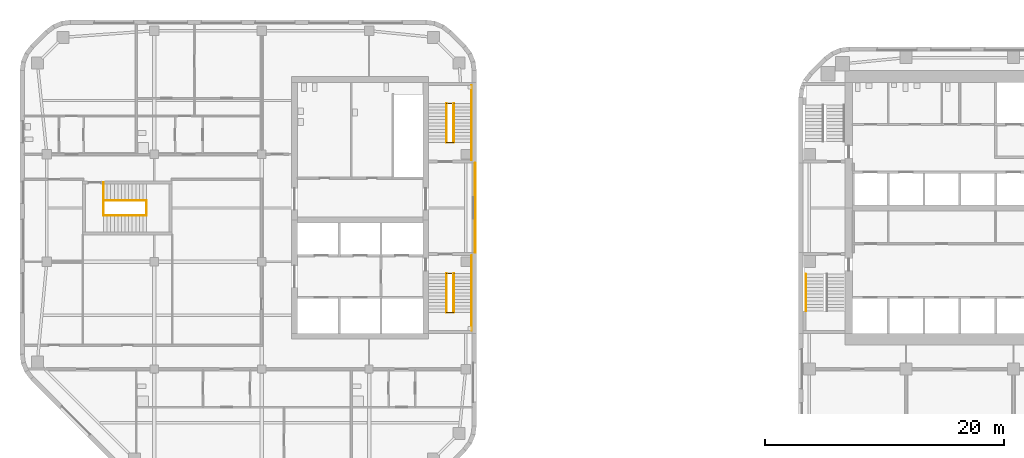
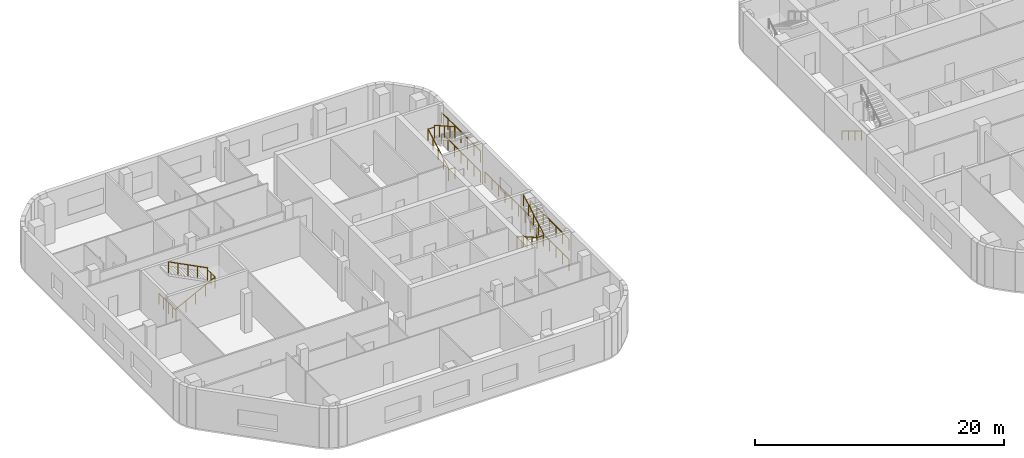
# One storey, part 14 of 16: 19 railings, 1 element without a shape of its own.
"""IFC4 building model written with IfcOpenShell, lengths in metres."""

from ifc_helpers import new_model, si_unit, direction, frame, origin, origin_2d, place, context, subcontext, project, spatial, circle, extrude, material, type_object, element, aggregate, save


model = new_model("IFC4")

# Units and contexts
model_context = context("Model", 3, precision=1e-05, world=origin(), true_north=direction((0.0, 1.0)))
body_context = subcontext(model_context, "Body", "Model", "MODEL_VIEW")
ifc_project = project(units=[si_unit("LENGTHUNIT", "METRE"), si_unit("AREAUNIT", "SQUARE_METRE"), si_unit("VOLUMEUNIT", "CUBIC_METRE"), si_unit("PLANEANGLEUNIT", "RADIAN"), si_unit("MASSUNIT", "GRAM", prefix="KILO")], contexts=[model_context])

# Site, building, storey
site_placement = place(None, origin())
site = spatial("IfcSite", under=ifc_project, at=site_placement, CompositionType="ELEMENT")
building_placement = place(site_placement, origin())
building = spatial("IfcBuilding", under=site, at=building_placement, Name="Cinnabar Reach Civic Tower", CompositionType="ELEMENT")
storey_placement = place(building_placement, frame((0.0, 0.0, 83.0)))
storey = spatial("IfcBuildingStorey", under=building, at=storey_placement, Name="L19", CompositionType="ELEMENT", Elevation=83.0)

# Stair, railing
ifc_material_1 = material(Name="Concrete C40/50", Category="concrete")
stair_type = type_object("IfcStairType", Name="T1 Exit stair, half-turn", PredefinedType="HALF_TURN_STAIR", material=ifc_material_1)
stair_placement = place(storey_placement, origin())
stair = element("IfcStair", 1, at=stair_placement, inside=storey, type_object=stair_type, Name="Stair T1-S1", PredefinedType="HALF_TURN_STAIR")
ifc_material_2 = material(Name="Stainless steel tube", Category="steel")
railing_type_1 = type_object("IfcRailingType", Name="T1 Stair handrail, stainless tube 48", PredefinedType="HANDRAIL", material=ifc_material_2)
railing_1_placement = place(storey_placement, frame((0.6, 25.95, 0.1667)))
railing_1 = element("IfcRailing", 2, at=railing_1_placement, type_object=railing_type_1, Name="T1-S1 handrail 1", PredefinedType="HANDRAIL", context=body_context, shape_type="SweptSolid", body=[
    extrude(circle(Radius=0.024, at=origin_2d()), frame((0.0, 0.0, 0.876), z_axis=(0.0, -0.859296971757, 0.511476992962), x_axis=(1.0, 0.0, 0.0)), (0.0, 0.0, 1.0), 3.5843),
    extrude(circle(Radius=0.021, at=origin_2d()), origin(), (0.0, 0.0, 1.0), 0.852),
    extrude(circle(Radius=0.021, at=origin_2d()), frame((0.0, -1.0267, 0.6111)), (0.0, 0.0, 1.0), 0.852),
    extrude(circle(Radius=0.021, at=origin_2d()), frame((0.0, -2.0533, 1.2222)), (0.0, 0.0, 1.0), 0.852),
    extrude(circle(Radius=0.021, at=origin_2d()), frame((0.0, -3.08, 1.8333)), (0.0, 0.0, 1.0), 0.852),
])
aggregate(stair, [railing_1])

# Railings
ifc_material_3 = material(Name="Stainless steel", Category="steel")
railing_type_2 = type_object("IfcRailingType", Name="T2 Stair guard 1100", PredefinedType="GUARDRAIL", material=ifc_material_3)
railing_2_placement = place(storey_placement, frame((-27.1, 27.75, 0.0)))
element("IfcRailing", 3, at=railing_2_placement, inside=storey, type_object=railing_type_2, Name="Corridor end guard", PredefinedType="GUARDRAIL", context=body_context, shape_type="SweptSolid", body=[
    extrude(circle(Radius=0.024, at=origin_2d()), frame((0.0, 0.0, 1.076), z_axis=(0.0, 1.0, 0.0), x_axis=(-1.0, 0.0, 0.0)), (0.0, 0.0, 1.0), 7.5),
    extrude(circle(Radius=0.021, at=origin_2d()), origin(), (0.0, 0.0, 1.0), 1.052),
    extrude(circle(Radius=0.021, at=origin_2d()), frame((0.0, 1.0714, 0.0)), (0.0, 0.0, 1.0), 1.052),
    extrude(circle(Radius=0.021, at=origin_2d()), frame((0.0, 2.1429, 0.0)), (0.0, 0.0, 1.0), 1.052),
    extrude(circle(Radius=0.021, at=origin_2d()), frame((0.0, 3.2143, 0.0)), (0.0, 0.0, 1.0), 1.052),
    extrude(circle(Radius=0.021, at=origin_2d()), frame((0.0, 4.2857, 0.0)), (0.0, 0.0, 1.0), 1.052),
    extrude(circle(Radius=0.021, at=origin_2d()), frame((0.0, 5.3571, 0.0)), (0.0, 0.0, 1.0), 1.052),
    extrude(circle(Radius=0.021, at=origin_2d()), frame((0.0, 6.4286, 0.0)), (0.0, 0.0, 1.0), 1.052),
    extrude(circle(Radius=0.021, at=origin_2d()), frame((0.0, 7.5, 0.0)), (0.0, 0.0, 1.0), 1.052),
])
for number, where, name in (
    (4, (-27.4, 21.25, 0.0), "Stair guard 1"),
    (5, (-27.4, 21.25, 2.0), "Stair guard 1"),
):
    element("IfcRailing", number, at=place(storey_placement, frame(where)), inside=storey, type_object=railing_type_2, Name=name, PredefinedType="GUARDRAIL", context=body_context, shape_type="SweptSolid", body=[
        extrude(circle(Radius=0.024, at=origin_2d()), frame((0.0, 0.0, 1.076), z_axis=(0.0, 1.0, 0.0), x_axis=(-1.0, 0.0, 0.0)), (0.0, 0.0, 1.0), 6.25),
        extrude(circle(Radius=0.021, at=origin_2d()), origin(), (0.0, 0.0, 1.0), 1.052),
        extrude(circle(Radius=0.021, at=origin_2d()), frame((0.0, 1.0417, 0.0)), (0.0, 0.0, 1.0), 1.052),
        extrude(circle(Radius=0.021, at=origin_2d()), frame((0.0, 2.0833, 0.0)), (0.0, 0.0, 1.0), 1.052),
        extrude(circle(Radius=0.021, at=origin_2d()), frame((0.0, 3.125, 0.0)), (0.0, 0.0, 1.0), 1.052),
        extrude(circle(Radius=0.021, at=origin_2d()), frame((0.0, 4.1667, 0.0)), (0.0, 0.0, 1.0), 1.052),
        extrude(circle(Radius=0.021, at=origin_2d()), frame((0.0, 5.2083, 0.0)), (0.0, 0.0, 1.0), 1.052),
        extrude(circle(Radius=0.021, at=origin_2d()), frame((0.0, 6.25, 0.0)), (0.0, 0.0, 1.0), 1.052),
    ])
for number, where, name in (
    (6, (-29.5, 26.0, 0.0), "Stair guard 1"),
    (7, (-29.5, 22.75, 2.0), "Stair guard 1"),
):
    element("IfcRailing", number, at=place(storey_placement, frame(where)), inside=storey, type_object=railing_type_2, Name=name, PredefinedType="GUARDRAIL", context=body_context, shape_type="SweptSolid", body=[
        extrude(circle(Radius=0.024, at=origin_2d()), frame((0.0, 0.0, 1.076), z_axis=(1.0, 0.0, 0.0), x_axis=(0.0, 1.0, 0.0)), (0.0, 0.0, 1.0), 0.6),
        extrude(circle(Radius=0.021, at=origin_2d()), origin(), (0.0, 0.0, 1.0), 1.052),
        extrude(circle(Radius=0.021, at=origin_2d()), frame((0.6, 0.0, 0.0)), (0.0, 0.0, 1.0), 1.052),
    ])
railing_3_placement = place(storey_placement, frame((-29.5, 26.0, 0.1538)))
element("IfcRailing", 8, at=railing_3_placement, inside=storey, type_object=railing_type_2, Name="Stair guard 1", PredefinedType="GUARDRAIL", context=body_context, shape_type="SweptSolid", body=[
    extrude(circle(Radius=0.024, at=origin_2d()), frame((0.0, 0.0, 1.076), z_axis=(0.0, -0.869501474428, 0.493930345258), x_axis=(1.0, 0.0, 0.0)), (0.0, 0.0, 1.0), 3.7378),
    extrude(circle(Radius=0.021, at=origin_2d()), origin(), (0.0, 0.0, 1.0), 1.052),
    extrude(circle(Radius=0.021, at=origin_2d()), frame((0.0, -0.8125, 0.4615)), (0.0, 0.0, 1.0), 1.052),
    extrude(circle(Radius=0.021, at=origin_2d()), frame((0.0, -1.625, 0.9231)), (0.0, 0.0, 1.0), 1.052),
    extrude(circle(Radius=0.021, at=origin_2d()), frame((0.0, -2.4375, 1.3846)), (0.0, 0.0, 1.0), 1.052),
    extrude(circle(Radius=0.021, at=origin_2d()), frame((0.0, -3.25, 1.8462)), (0.0, 0.0, 1.0), 1.052),
])
railing_4_placement = place(storey_placement, frame((-28.9, 22.75, 2.1538)))
element("IfcRailing", 9, at=railing_4_placement, inside=storey, type_object=railing_type_2, Name="Stair guard 1", PredefinedType="GUARDRAIL", context=body_context, shape_type="SweptSolid", body=[
    extrude(circle(Radius=0.024, at=origin_2d()), frame((0.0, 0.0, 1.076), z_axis=(0.0, 0.869501474428, 0.493930345258), x_axis=(-1.0, 0.0, 0.0)), (0.0, 0.0, 1.0), 3.7378),
    extrude(circle(Radius=0.021, at=origin_2d()), origin(), (0.0, 0.0, 1.0), 1.052),
    extrude(circle(Radius=0.021, at=origin_2d()), frame((0.0, 0.8125, 0.4615)), (0.0, 0.0, 1.0), 1.052),
    extrude(circle(Radius=0.021, at=origin_2d()), frame((0.0, 1.625, 0.9231)), (0.0, 0.0, 1.0), 1.052),
    extrude(circle(Radius=0.021, at=origin_2d()), frame((0.0, 2.4375, 1.3846)), (0.0, 0.0, 1.0), 1.052),
    extrude(circle(Radius=0.021, at=origin_2d()), frame((0.0, 3.25, 1.8462)), (0.0, 0.0, 1.0), 1.052),
])
for number, where, name in (
    (10, (-27.4, 35.5, 0.0), "Stair guard 2"),
    (11, (-27.4, 35.5, 2.0), "Stair guard 2"),
):
    element("IfcRailing", number, at=place(storey_placement, frame(where)), inside=storey, type_object=railing_type_2, Name=name, PredefinedType="GUARDRAIL", context=body_context, shape_type="SweptSolid", body=[
        extrude(circle(Radius=0.024, at=origin_2d()), frame((0.0, 0.0, 1.076), z_axis=(0.0, 1.0, 0.0), x_axis=(-1.0, 0.0, 0.0)), (0.0, 0.0, 1.0), 6.25),
        extrude(circle(Radius=0.021, at=origin_2d()), origin(), (0.0, 0.0, 1.0), 1.052),
        extrude(circle(Radius=0.021, at=origin_2d()), frame((0.0, 1.0417, 0.0)), (0.0, 0.0, 1.0), 1.052),
        extrude(circle(Radius=0.021, at=origin_2d()), frame((0.0, 2.0833, 0.0)), (0.0, 0.0, 1.0), 1.052),
        extrude(circle(Radius=0.021, at=origin_2d()), frame((0.0, 3.125, 0.0)), (0.0, 0.0, 1.0), 1.052),
        extrude(circle(Radius=0.021, at=origin_2d()), frame((0.0, 4.1667, 0.0)), (0.0, 0.0, 1.0), 1.052),
        extrude(circle(Radius=0.021, at=origin_2d()), frame((0.0, 5.2083, 0.0)), (0.0, 0.0, 1.0), 1.052),
        extrude(circle(Radius=0.021, at=origin_2d()), frame((0.0, 6.25, 0.0)), (0.0, 0.0, 1.0), 1.052),
    ])
for number, where, name in (
    (12, (-29.5, 37.0, 0.0), "Stair guard 2"),
    (13, (-29.5, 40.25, 2.0), "Stair guard 2"),
):
    element("IfcRailing", number, at=place(storey_placement, frame(where)), inside=storey, type_object=railing_type_2, Name=name, PredefinedType="GUARDRAIL", context=body_context, shape_type="SweptSolid", body=[
        extrude(circle(Radius=0.024, at=origin_2d()), frame((0.0, 0.0, 1.076), z_axis=(1.0, 0.0, 0.0), x_axis=(0.0, 1.0, 0.0)), (0.0, 0.0, 1.0), 0.6),
        extrude(circle(Radius=0.021, at=origin_2d()), origin(), (0.0, 0.0, 1.0), 1.052),
        extrude(circle(Radius=0.021, at=origin_2d()), frame((0.6, 0.0, 0.0)), (0.0, 0.0, 1.0), 1.052),
    ])
railing_5_placement = place(storey_placement, frame((-29.5, 37.0, 0.1538)))
element("IfcRailing", 14, at=railing_5_placement, inside=storey, type_object=railing_type_2, Name="Stair guard 2", PredefinedType="GUARDRAIL", context=body_context, shape_type="SweptSolid", body=[
    extrude(circle(Radius=0.024, at=origin_2d()), frame((0.0, 0.0, 1.076), z_axis=(0.0, 0.869501474428, 0.493930345258), x_axis=(-1.0, 0.0, 0.0)), (0.0, 0.0, 1.0), 3.7378),
    extrude(circle(Radius=0.021, at=origin_2d()), origin(), (0.0, 0.0, 1.0), 1.052),
    extrude(circle(Radius=0.021, at=origin_2d()), frame((0.0, 0.8125, 0.4615)), (0.0, 0.0, 1.0), 1.052),
    extrude(circle(Radius=0.021, at=origin_2d()), frame((0.0, 1.625, 0.9231)), (0.0, 0.0, 1.0), 1.052),
    extrude(circle(Radius=0.021, at=origin_2d()), frame((0.0, 2.4375, 1.3846)), (0.0, 0.0, 1.0), 1.052),
    extrude(circle(Radius=0.021, at=origin_2d()), frame((0.0, 3.25, 1.8462)), (0.0, 0.0, 1.0), 1.052),
])
railing_6_placement = place(storey_placement, frame((-28.9, 40.25, 2.1538)))
element("IfcRailing", 15, at=railing_6_placement, inside=storey, type_object=railing_type_2, Name="Stair guard 2", PredefinedType="GUARDRAIL", context=body_context, shape_type="SweptSolid", body=[
    extrude(circle(Radius=0.024, at=origin_2d()), frame((0.0, 0.0, 1.076), z_axis=(0.0, -0.869501474428, 0.493930345258), x_axis=(1.0, 0.0, 0.0)), (0.0, 0.0, 1.0), 3.7378),
    extrude(circle(Radius=0.021, at=origin_2d()), origin(), (0.0, 0.0, 1.0), 1.052),
    extrude(circle(Radius=0.021, at=origin_2d()), frame((0.0, -0.8125, 0.4615)), (0.0, 0.0, 1.0), 1.052),
    extrude(circle(Radius=0.021, at=origin_2d()), frame((0.0, -1.625, 0.9231)), (0.0, 0.0, 1.0), 1.052),
    extrude(circle(Radius=0.021, at=origin_2d()), frame((0.0, -2.4375, 1.3846)), (0.0, 0.0, 1.0), 1.052),
    extrude(circle(Radius=0.021, at=origin_2d()), frame((0.0, -3.25, 1.8462)), (0.0, 0.0, 1.0), 1.052),
])
railing_7_placement = place(storey_placement, frame((-58.25, 30.875, 0.0)))
element("IfcRailing", 16, at=railing_7_placement, inside=storey, type_object=railing_type_2, Name="Stair guard 3", PredefinedType="GUARDRAIL", context=body_context, shape_type="SweptSolid", body=[
    extrude(circle(Radius=0.024, at=origin_2d()), frame((0.0, 0.0, 1.076), z_axis=(0.0, 1.0, 0.0), x_axis=(-1.0, 0.0, 0.0)), (0.0, 0.0, 1.0), 1.25),
    extrude(circle(Radius=0.021, at=origin_2d()), origin(), (0.0, 0.0, 1.0), 1.052),
    extrude(circle(Radius=0.021, at=origin_2d()), frame((0.0, 0.625, 0.0)), (0.0, 0.0, 1.0), 1.052),
    extrude(circle(Radius=0.021, at=origin_2d()), frame((0.0, 1.25, 0.0)), (0.0, 0.0, 1.0), 1.052),
])
railing_8_placement = place(storey_placement, frame((-58.25, 32.125, 0.0)))
element("IfcRailing", 17, at=railing_8_placement, inside=storey, type_object=railing_type_2, Name="Stair guard 3", PredefinedType="GUARDRAIL", context=body_context, shape_type="SweptSolid", body=[
    extrude(circle(Radius=0.024, at=origin_2d()), frame((0.0, 0.0, 1.076), z_axis=(0.0, 1.0, 0.0), x_axis=(-1.0, 0.0, 0.0)), (0.0, 0.0, 1.0), 1.5),
    extrude(circle(Radius=0.021, at=origin_2d()), origin(), (0.0, 0.0, 1.0), 1.052),
    extrude(circle(Radius=0.021, at=origin_2d()), frame((0.0, 0.75, 0.0)), (0.0, 0.0, 1.0), 1.052),
    extrude(circle(Radius=0.021, at=origin_2d()), frame((0.0, 1.5, 0.0)), (0.0, 0.0, 1.0), 1.052),
])
railing_9_placement = place(storey_placement, frame((-54.65, 30.875, 2.0)))
element("IfcRailing", 18, at=railing_9_placement, inside=storey, type_object=railing_type_2, Name="Stair guard 3", PredefinedType="GUARDRAIL", context=body_context, shape_type="SweptSolid", body=[
    extrude(circle(Radius=0.024, at=origin_2d()), frame((0.0, 0.0, 1.076), z_axis=(0.0, 1.0, 0.0), x_axis=(-1.0, 0.0, 0.0)), (0.0, 0.0, 1.0), 1.25),
    extrude(circle(Radius=0.021, at=origin_2d()), origin(), (0.0, 0.0, 1.0), 1.052),
    extrude(circle(Radius=0.021, at=origin_2d()), frame((0.0, 0.625, 0.0)), (0.0, 0.0, 1.0), 1.052),
    extrude(circle(Radius=0.021, at=origin_2d()), frame((0.0, 1.25, 0.0)), (0.0, 0.0, 1.0), 1.052),
])
railing_10_placement = place(storey_placement, frame((-58.25, 30.875, 0.1538)))
element("IfcRailing", 19, at=railing_10_placement, inside=storey, type_object=railing_type_2, Name="Stair guard 3", PredefinedType="GUARDRAIL", context=body_context, shape_type="SweptSolid", body=[
    extrude(circle(Radius=0.024, at=origin_2d()), frame((0.0, 0.0, 1.076), z_axis=(0.889812830738, 0.0, 0.45632568003), x_axis=(0.0, 1.0, 0.0)), (0.0, 0.0, 1.0), 4.0458),
    extrude(circle(Radius=0.021, at=origin_2d()), origin(), (0.0, 0.0, 1.0), 1.052),
    extrude(circle(Radius=0.021, at=origin_2d()), frame((0.9, 0.0, 0.4615)), (0.0, 0.0, 1.0), 1.052),
    extrude(circle(Radius=0.021, at=origin_2d()), frame((1.8, 0.0, 0.9231)), (0.0, 0.0, 1.0), 1.052),
    extrude(circle(Radius=0.021, at=origin_2d()), frame((2.7, 0.0, 1.3846)), (0.0, 0.0, 1.0), 1.052),
    extrude(circle(Radius=0.021, at=origin_2d()), frame((3.6, 0.0, 1.8462)), (0.0, 0.0, 1.0), 1.052),
])
railing_11_placement = place(storey_placement, frame((-54.65, 32.125, 2.1538)))
element("IfcRailing", 20, at=railing_11_placement, inside=storey, type_object=railing_type_2, Name="Stair guard 3", PredefinedType="GUARDRAIL", context=body_context, shape_type="SweptSolid", body=[
    extrude(circle(Radius=0.024, at=origin_2d()), frame((0.0, 0.0, 1.076), z_axis=(-0.889812830738, 0.0, 0.45632568003), x_axis=(0.0, -1.0, 0.0)), (0.0, 0.0, 1.0), 4.0458),
    extrude(circle(Radius=0.021, at=origin_2d()), origin(), (0.0, 0.0, 1.0), 1.052),
    extrude(circle(Radius=0.021, at=origin_2d()), frame((-0.9, 0.0, 0.4615)), (0.0, 0.0, 1.0), 1.052),
    extrude(circle(Radius=0.021, at=origin_2d()), frame((-1.8, 0.0, 0.9231)), (0.0, 0.0, 1.0), 1.052),
    extrude(circle(Radius=0.021, at=origin_2d()), frame((-2.7, 0.0, 1.3846)), (0.0, 0.0, 1.0), 1.052),
    extrude(circle(Radius=0.021, at=origin_2d()), frame((-3.6, 0.0, 1.8462)), (0.0, 0.0, 1.0), 1.052),
])

save(model, "model.ifc")
